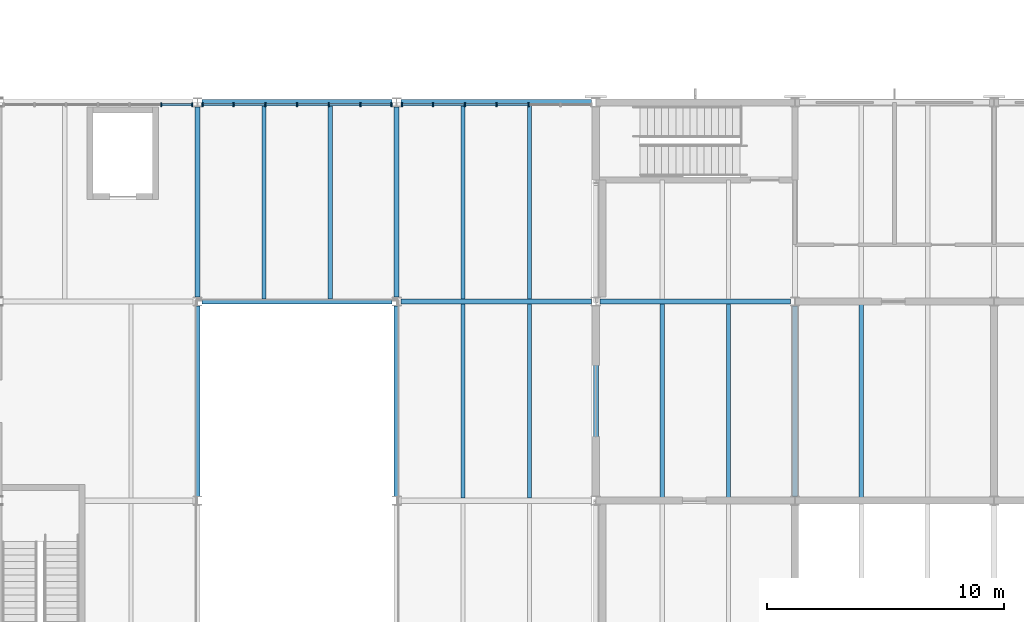
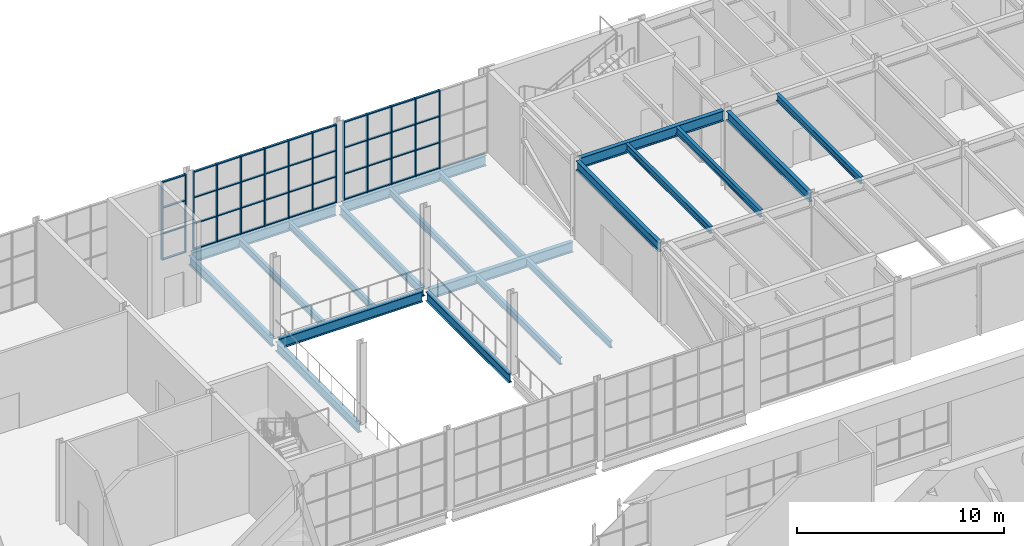
# One storey, part 43 of 127: 58 members, 20 beams, 3 elements without a shape of their own.
"""IFC4 building model written with IfcOpenShell, lengths in metres."""

import ifcopenshell
import ifcopenshell.guid

model = None  # the IFC model being written
_history = None  # IfcOwnerHistory: only IFC2X3 demands one
_inside = {}  # id of a spatial element -> (the spatial element, [elements in it])
_under = {}  # id of a project, library or spatial element -> (it, [spatial elements below it])
_declared = {}  # id of a project -> (the project, [libraries it declares])
_typed = {}  # id of a type object -> (the type object, [elements of that type])
_made_of = {}  # id of a material, layer set ... -> (it, [elements and type objects made of it])


def new_model(schema):
    """Start an empty IFC model of exactly this schema.

    Asked for "IFC4X3", IfcOpenShell would pick the latest addendum, in which some entities
    have other attributes; the version numbers below select the first issue.
    IFC2X3 requires an IfcOwnerHistory on every rooted entity: one is made here for all.
    """
    global model, _history
    if schema == "IFC4X3":
        model = ifcopenshell.file(schema_version=(4, 3, 0, 0))
    else:
        model = ifcopenshell.file(schema=schema)
    _inside.clear()
    _under.clear()
    _declared.clear()
    _typed.clear()
    _made_of.clear()
    _history = None
    if model.schema == "IFC2X3":
        org = make("IfcOrganization", Name="unknown")
        user = make(
            "IfcPersonAndOrganization",
            ThePerson=make("IfcPerson", FamilyName="unknown"),
            TheOrganization=org,
        )
        app = make(
            "IfcApplication",
            ApplicationDeveloper=org,
            Version="unknown",
            ApplicationFullName="unknown",
            ApplicationIdentifier="unknown",
        )
        _history = make(
            "IfcOwnerHistory",
            OwningUser=user,
            OwningApplication=app,
            ChangeAction="ADDED",
            CreationDate=0,
        )
    return model


def make(cls, **values):
    """One entity of the class cls with the attributes given. An attribute that is None is left unset."""
    return model.create_entity(
        cls, **{name: value for name, value in values.items() if value is not None}
    )


def rooted(cls, **values):
    """An entity with a GlobalId (a new one), such as an element, a storey or a relation."""
    return make(cls, GlobalId=ifcopenshell.guid.new(), OwnerHistory=_history, **values)


def si_unit(unit_type, name, prefix=None):
    """IfcSIUnit, for example si_unit("LENGTHUNIT", "METRE", prefix="MILLI")."""
    return make("IfcSIUnit", UnitType=unit_type, Prefix=prefix, Name=name)


def assignment(units):
    """IfcUnitAssignment: the units of a project."""
    return None if units is None else make("IfcUnitAssignment", Units=units)


def point(xyz):
    """IfcCartesianPoint."""
    return None if xyz is None else make("IfcCartesianPoint", Coordinates=xyz)


def direction(xyz):
    """IfcDirection."""
    return None if xyz is None else make("IfcDirection", DirectionRatios=xyz)


def frame(location, z_axis=None, x_axis=None):
    """IfcAxis2Placement3D, a coordinate frame: its origin and axes. An axis left out is left unset."""
    return make(
        "IfcAxis2Placement3D",
        Location=point(location),
        Axis=direction(z_axis),
        RefDirection=direction(x_axis),
    )


def frame_2d(location, x_axis=None):
    """IfcAxis2Placement2D, a coordinate frame in the plane: its origin and x axis."""
    return make(
        "IfcAxis2Placement2D", Location=point(location), RefDirection=direction(x_axis)
    )


def origin():
    """The frame at (0, 0, 0) with its axes left unset."""
    return frame((0.0, 0.0, 0.0))


def origin_2d():
    """The frame at (0, 0) in the plane with its x axis left unset."""
    return frame_2d((0.0, 0.0))


def place(relative_to, where):
    """IfcLocalPlacement: puts the frame where relative to a parent placement (None: the world)."""
    return make(
        "IfcLocalPlacement", PlacementRelTo=relative_to, RelativePlacement=where
    )


def context(
    kind, dimensions, precision=None, world=None, true_north=None, identifier=None
):
    """IfcGeometricRepresentationContext, for example the 3D "Model" context."""
    return make(
        "IfcGeometricRepresentationContext",
        ContextIdentifier=identifier,
        ContextType=kind,
        CoordinateSpaceDimension=dimensions,
        Precision=precision,
        WorldCoordinateSystem=world,
        TrueNorth=true_north,
    )


def subcontext(parent, identifier, kind, view, scale=None):
    """IfcGeometricRepresentationSubContext, for example "Body" below "Model"."""
    return make(
        "IfcGeometricRepresentationSubContext",
        ContextIdentifier=identifier,
        ContextType=kind,
        ParentContext=parent,
        TargetScale=scale,
        TargetView=view,
    )


def project(units=None, contexts=None):
    """IfcProject with its units and contexts."""
    return rooted(
        "IfcProject",
        Name="project",
        RepresentationContexts=contexts,
        UnitsInContext=assignment(units),
    )


def spatial(cls, under=None, at=None, **own):
    """A site, building, storey or space (cls), placed at a placement, below another one or the project."""
    s = rooted(cls, ObjectPlacement=at, **own)
    if under is not None:
        _under.setdefault(under.id(), (under, []))[1].append(s)
    return s


def profile(cls, at=None, kind="AREA", **sizes):
    """A parametric profile (cls). Its sizes go by their IFC names, for example OverallWidth=200.0."""
    return make(cls, ProfileType=kind, Position=at, **sizes)


def rectangle(**sizes):
    """IfcRectangleProfileDef."""
    return profile("IfcRectangleProfileDef", **sizes)


def i_section(**sizes):
    """IfcIShapeProfileDef."""
    return profile("IfcIShapeProfileDef", **sizes)


def extrude(swept, where, along, depth):
    """IfcExtrudedAreaSolid: the profile swept, set in the frame where, extruded along a direction by depth."""
    return make(
        "IfcExtrudedAreaSolid",
        SweptArea=swept,
        Position=where,
        ExtrudedDirection=direction(along),
        Depth=depth,
    )


def shape(context_of_items, identifier, shape_type, items):
    """IfcShapeRepresentation: the items that make up one representation, for example the "Body"."""
    return make(
        "IfcShapeRepresentation",
        ContextOfItems=context_of_items,
        RepresentationIdentifier=identifier,
        RepresentationType=shape_type,
        Items=items,
    )


def material(Name=None, Category=None):
    """IfcMaterial."""
    return make("IfcMaterial", Name=Name, Category=Category)


def material_profile(
    of_material, cross_section, Name=None, Category=None, Priority=None
):
    """IfcMaterialProfile: a cross section and its material."""
    return make(
        "IfcMaterialProfile",
        Name=Name,
        Material=of_material,
        Profile=cross_section,
        Priority=Priority,
        Category=Category,
    )


def profile_set(profiles, Name=None, composite=None):
    """IfcMaterialProfileSet."""
    return make(
        "IfcMaterialProfileSet",
        Name=Name,
        MaterialProfiles=profiles,
        CompositeProfile=composite,
    )


def made_of(thing, what):
    """Note that an element or type object is made of a material, layer set ...; save() writes the relation."""
    if what is not None:
        _made_of.setdefault(what.id(), (what, []))[1].append(thing)
    return thing


def type_object(cls, material=None, **own):
    """A type object (cls), such as IfcWallType, which elements share."""
    return made_of(rooted(cls, **own), material)


def element(
    cls,
    number,
    at=None,
    inside=None,
    cuts=None,
    type_object=None,
    material=None,
    context=None,
    identifier="Body",
    shape_type=None,
    held_by="IfcProductDefinitionShape",
    body=None,
    shapes=None,
    **own,
):
    """One element of the class cls, such as IfcWall. Its Tag is "e" and its number.

    at: its placement. inside: the storey or other place that contains it. cuts: it is an
    opening in that element (IfcRelVoidsElement). A single representation is given by context,
    identifier, shape_type and body (its items); several are given by shapes. held_by: the class
    of the entity that holds the representations. save() writes the other relations.
    """
    e = rooted(cls, Tag="e%d" % number, ObjectPlacement=at, **own)
    if body is not None:
        shapes = [shape(context, identifier, shape_type, body)]
    if shapes is not None:
        e.Representation = make(held_by, Representations=shapes)
    if inside is not None:
        _inside.setdefault(inside.id(), (inside, []))[1].append(e)
    if cuts is not None:
        rooted(
            "IfcRelVoidsElement", RelatingBuildingElement=cuts, RelatedOpeningElement=e
        )
    if type_object is not None:
        _typed.setdefault(type_object.id(), (type_object, []))[1].append(e)
    return made_of(e, material)


def aggregate(whole, parts):
    """IfcRelAggregates: a whole, such as a stair, and the parts it consists of."""
    return rooted("IfcRelAggregates", RelatingObject=whole, RelatedObjects=parts)


def save(model, path):
    """Write the relations noted so far, then the file.

    IfcRelAggregates (storeys below a building ...), IfcRelContainedInSpatialStructure (elements
    in a storey), IfcRelDefinesByType, IfcRelAssociatesMaterial and IfcRelDeclares: one each for
    every whole, place, type object, material and project.
    """
    for whole, parts in _under.values():
        aggregate(whole, parts)
    for where, things in _inside.values():
        rooted(
            "IfcRelContainedInSpatialStructure",
            RelatedElements=things,
            RelatingStructure=where,
        )
    for kind, things in _typed.values():
        rooted("IfcRelDefinesByType", RelatedObjects=things, RelatingType=kind)
    for what, things in _made_of.values():
        rooted("IfcRelAssociatesMaterial", RelatedObjects=things, RelatingMaterial=what)
    for by, libraries in _declared.values():
        rooted("IfcRelDeclares", RelatingContext=by, RelatedDefinitions=libraries)
    model.write(path)


model = new_model("IFC4")

# Units and contexts
model_context = context("Model", 3, precision=1e-05, world=origin(), true_north=direction((0.0, 1.0)))
body_context = subcontext(model_context, "Body", "Model", "MODEL_VIEW")
ifc_project = project(units=[si_unit("LENGTHUNIT", "METRE"), si_unit("AREAUNIT", "SQUARE_METRE"), si_unit("VOLUMEUNIT", "CUBIC_METRE"), si_unit("PLANEANGLEUNIT", "RADIAN"), si_unit("MASSUNIT", "GRAM", prefix="KILO")], contexts=[model_context])

# Site, building, storey
site_placement = place(None, origin())
site = spatial("IfcSite", under=ifc_project, at=site_placement, CompositionType="ELEMENT")
building_placement = place(site_placement, origin())
building = spatial("IfcBuilding", under=site, at=building_placement, Name="Ljudholm Concert House", CompositionType="ELEMENT")
storey_placement = place(building_placement, frame((0.0, 0.0, 5.39990234375)))
storey = spatial("IfcBuildingStorey", under=building, at=storey_placement, Name="L01", CompositionType="ELEMENT", Elevation=5.39990234375)

# Curtain wall, members
ifc_material_1 = material(Name="Aluminium curtain wall with impact-rated laminated glass", Category="aluminium")
curtain_wall_type = type_object("IfcCurtainWallType", Name="CURTAIN WALL 1400", PredefinedType="NOTDEFINED", material=ifc_material_1)
curtain_wall_1_placement = place(storey_placement, origin())
curtain_wall_1 = element("IfcCurtainWall", 1, at=curtain_wall_1_placement, inside=storey, type_object=curtain_wall_type, Name="North curtain wall", PredefinedType="NOTDEFINED")
ifc_material_2 = material(Name="Aluminium extrusion", Category="aluminium")
ifc_material_profile_1 = material_profile(ifc_material_2, rectangle(XDim=0.159912109375, YDim=0.06005859375, at=origin_2d()), Name="MULLION 60x160")
ifc_profile_set_1 = profile_set([ifc_material_profile_1], Name="Aluminium extrusion")
member_type_1 = type_object("IfcMemberType", Name="MULLION 60x160", PredefinedType="MULLION", material=ifc_profile_set_1)
member_1_placement = place(storey_placement, frame((36.0732421875, 129.89990234375, 0.0), z_axis=(0.0, 0.0, 1.0), x_axis=(0.0, 1.0, 0.0)))
member_1 = element("IfcMember", 2, at=member_1_placement, type_object=member_type_1, Name="Mullion", PredefinedType="MULLION", context=body_context, shape_type="SweptSolid", body=[
    extrude(rectangle(XDim=0.159912109375, YDim=0.06005859375, at=origin_2d()), origin(), (0.0, 0.0, 1.0), 4.6201171875),
])
member_2_placement = place(storey_placement, frame((37.3798828125, 129.89990234375, 0.0), z_axis=(0.0, 0.0, 1.0), x_axis=(0.0, 1.0, 0.0)))
member_2 = element("IfcMember", 3, at=member_2_placement, type_object=member_type_1, Name="Mullion", PredefinedType="MULLION", context=body_context, shape_type="SweptSolid", body=[
    extrude(rectangle(XDim=0.159912109375, YDim=0.06005859375, at=origin_2d()), origin(), (0.0, 0.0, 1.0), 4.6201171875),
])

curtain_wall_2_placement = place(storey_placement, origin())
curtain_wall_2 = element("IfcCurtainWall", 4, at=curtain_wall_2_placement, inside=storey, type_object=curtain_wall_type, Name="North curtain wall", PredefinedType="NOTDEFINED")
member_3_placement = place(storey_placement, frame((37.820068359375, 129.89990234375, 0.0), z_axis=(0.0, 0.0, 1.0), x_axis=(0.0, 1.0, 0.0)))
member_3 = element("IfcMember", 5, at=member_3_placement, type_object=member_type_1, Name="Mullion", PredefinedType="MULLION", context=body_context, shape_type="SweptSolid", body=[
    extrude(rectangle(XDim=0.159912109375, YDim=0.06005859375, at=origin_2d()), origin(), (0.0, 0.0, 1.0), 4.6201171875),
])
member_4_placement = place(storey_placement, frame((39.126708984375, 129.89990234375, 0.0), z_axis=(0.0, 0.0, 1.0), x_axis=(0.0, 1.0, 0.0)))
member_4 = element("IfcMember", 6, at=member_4_placement, type_object=member_type_1, Name="Mullion", PredefinedType="MULLION", context=body_context, shape_type="SweptSolid", body=[
    extrude(rectangle(XDim=0.159912109375, YDim=0.06005859375, at=origin_2d()), origin(), (0.0, 0.0, 1.0), 4.6201171875),
])
member_5_placement = place(storey_placement, frame((40.46337890625, 129.89990234375, 0.0), z_axis=(0.0, 0.0, 1.0), x_axis=(0.0, 1.0, 0.0)))
member_5 = element("IfcMember", 7, at=member_5_placement, type_object=member_type_1, Name="Mullion", PredefinedType="MULLION", context=body_context, shape_type="SweptSolid", body=[
    extrude(rectangle(XDim=0.159912109375, YDim=0.06005859375, at=origin_2d()), origin(), (0.0, 0.0, 1.0), 4.6201171875),
])
member_6_placement = place(storey_placement, frame((41.800048828125, 129.89990234375, 0.0), z_axis=(0.0, 0.0, 1.0), x_axis=(0.0, 1.0, 0.0)))
member_6 = element("IfcMember", 8, at=member_6_placement, type_object=member_type_1, Name="Mullion", PredefinedType="MULLION", context=body_context, shape_type="SweptSolid", body=[
    extrude(rectangle(XDim=0.159912109375, YDim=0.06005859375, at=origin_2d()), origin(), (0.0, 0.0, 1.0), 4.6201171875),
])
member_7_placement = place(storey_placement, frame((43.13671875, 129.89990234375, 0.0), z_axis=(0.0, 0.0, 1.0), x_axis=(0.0, 1.0, 0.0)))
member_7 = element("IfcMember", 9, at=member_7_placement, type_object=member_type_1, Name="Mullion", PredefinedType="MULLION", context=body_context, shape_type="SweptSolid", body=[
    extrude(rectangle(XDim=0.159912109375, YDim=0.06005859375, at=origin_2d()), origin(), (0.0, 0.0, 1.0), 4.6201171875),
])
member_8_placement = place(storey_placement, frame((44.473388671875, 129.89990234375, 0.0), z_axis=(0.0, 0.0, 1.0), x_axis=(0.0, 1.0, 0.0)))
member_8 = element("IfcMember", 10, at=member_8_placement, type_object=member_type_1, Name="Mullion", PredefinedType="MULLION", context=body_context, shape_type="SweptSolid", body=[
    extrude(rectangle(XDim=0.159912109375, YDim=0.06005859375, at=origin_2d()), origin(), (0.0, 0.0, 1.0), 4.6201171875),
])
member_9_placement = place(storey_placement, frame((45.780029296875, 129.89990234375, 0.0), z_axis=(0.0, 0.0, 1.0), x_axis=(0.0, 1.0, 0.0)))
member_9 = element("IfcMember", 11, at=member_9_placement, type_object=member_type_1, Name="Mullion", PredefinedType="MULLION", context=body_context, shape_type="SweptSolid", body=[
    extrude(rectangle(XDim=0.159912109375, YDim=0.06005859375, at=origin_2d()), origin(), (0.0, 0.0, 1.0), 4.6201171875),
])

curtain_wall_3_placement = place(storey_placement, origin())
curtain_wall_3 = element("IfcCurtainWall", 12, at=curtain_wall_3_placement, inside=storey, type_object=curtain_wall_type, Name="North curtain wall", PredefinedType="NOTDEFINED")
member_10_placement = place(storey_placement, frame((46.219970703125, 129.89990234375, 0.0), z_axis=(0.0, 0.0, 1.0), x_axis=(0.0, 1.0, 0.0)))
member_10 = element("IfcMember", 13, at=member_10_placement, type_object=member_type_1, Name="Mullion", PredefinedType="MULLION", context=body_context, shape_type="SweptSolid", body=[
    extrude(rectangle(XDim=0.159912109375, YDim=0.06005859375, at=origin_2d()), origin(), (0.0, 0.0, 1.0), 4.6201171875),
])
member_11_placement = place(storey_placement, frame((47.533447265625, 129.89990234375, 0.0), z_axis=(0.0, 0.0, 1.0), x_axis=(0.0, 1.0, 0.0)))
member_11 = element("IfcMember", 14, at=member_11_placement, type_object=member_type_1, Name="Mullion", PredefinedType="MULLION", context=body_context, shape_type="SweptSolid", body=[
    extrude(rectangle(XDim=0.159912109375, YDim=0.06005859375, at=origin_2d()), origin(), (0.0, 0.0, 1.0), 4.6201171875),
])
member_12_placement = place(storey_placement, frame((48.876708984375, 129.89990234375, 0.0), z_axis=(0.0, 0.0, 1.0), x_axis=(0.0, 1.0, 0.0)))
member_12 = element("IfcMember", 15, at=member_12_placement, type_object=member_type_1, Name="Mullion", PredefinedType="MULLION", context=body_context, shape_type="SweptSolid", body=[
    extrude(rectangle(XDim=0.159912109375, YDim=0.06005859375, at=origin_2d()), origin(), (0.0, 0.0, 1.0), 4.6201171875),
])
member_13_placement = place(storey_placement, frame((50.219970703125, 129.89990234375, 0.0), z_axis=(0.0, 0.0, 1.0), x_axis=(0.0, 1.0, 0.0)))
member_13 = element("IfcMember", 16, at=member_13_placement, type_object=member_type_1, Name="Mullion", PredefinedType="MULLION", context=body_context, shape_type="SweptSolid", body=[
    extrude(rectangle(XDim=0.159912109375, YDim=0.06005859375, at=origin_2d()), origin(), (0.0, 0.0, 1.0), 4.6201171875),
])
member_14_placement = place(storey_placement, frame((51.563232421875, 129.89990234375, 0.0), z_axis=(0.0, 0.0, 1.0), x_axis=(0.0, 1.0, 0.0)))
member_14 = element("IfcMember", 17, at=member_14_placement, type_object=member_type_1, Name="Mullion", PredefinedType="MULLION", context=body_context, shape_type="SweptSolid", body=[
    extrude(rectangle(XDim=0.159912109375, YDim=0.06005859375, at=origin_2d()), origin(), (0.0, 0.0, 1.0), 4.6201171875),
])

# Beams
ifc_material_3 = material(Name="Steel ASTM A992", Category="steel")
ifc_material_profile_2 = material_profile(ifc_material_3, i_section(OverallWidth=0.177734375, OverallDepth=0.406494140625, WebThickness=0.0078125, FlangeThickness=0.012939453125, FilletRadius=0.01025390625, at=origin_2d()), Name="W16X40")
ifc_profile_set_2 = profile_set([ifc_material_profile_2], Name="Steel ASTM A992")
beam_type_1 = type_object("IfcBeamType", Name="STEEL BEAM W16X40", PredefinedType="BEAM", material=ifc_profile_set_2)
for number, where, z_axis, x_axis, name in (
    (18, (57.199951171875, 113.314453125, 4.4169921875), (0.0, 1.0, 0.0), (-1.0, 0.0, 0.0), "Beam STUDIO-L02-sb-57.2-113.2"),
    (19, (60.0, 113.314453125, 4.4169921875), (0.0, 1.0, 0.0), (-1.0, 0.0, 0.0), "Beam STUDIO-L02-sb-60-113.2"),
    (20, (65.60009765625, 113.314453125, 4.4169921875), (0.0, 1.0, 0.0), (-1.0, 0.0, 0.0), "Beam STUDIO-L02-sb-65.6-113.2"),
    (21, (48.800048828125, 113.314453125, -0.383056640625), (0.0, 1.0, 0.0), (-1.0, 0.0, 0.0), "Secondary beam"),
    (22, (48.800048828125, 121.714599609375, -0.383056640625), (0.0, 1.0, 0.0), (-1.0, 0.0, 0.0), "Secondary beam"),
    (23, (51.60009765625, 113.314453125, -0.383056640625), (0.0, 1.0, 0.0), (-1.0, 0.0, 0.0), "Secondary beam"),
    (24, (51.60009765625, 121.714599609375, -0.383056640625), (0.0, 1.0, 0.0), (-1.0, 0.0, 0.0), "Secondary beam"),
    (25, (40.39990234375, 121.714599609375, -0.383056640625), (0.0, 1.0, 0.0), (-1.0, 0.0, 0.0), "Secondary beam"),
    (26, (43.199951171875, 121.714599609375, -0.383056640625), (0.0, 1.0, 0.0), (-1.0, 0.0, 0.0), "Secondary beam"),
):
    element("IfcBeam", number, at=place(storey_placement, frame(where, z_axis=z_axis, x_axis=x_axis)), inside=storey, type_object=beam_type_1, Name=name, PredefinedType="BEAM", context=body_context, shape_type="SweptSolid", body=[
        extrude(i_section(OverallWidth=0.177734375, OverallDepth=0.406494140625, WebThickness=0.0078125, FlangeThickness=0.012939453125, FilletRadius=0.01025390625, at=origin_2d()), origin(), (0.0, 0.0, 1.0), 8.1708984375),
    ])
ifc_material_4 = material(Name="Steel ASTM A992", Category="steel")
ifc_material_profile_3 = material_profile(ifc_material_4, i_section(OverallWidth=0.209228515625, OverallDepth=0.533447265625, WebThickness=0.01025390625, FlangeThickness=0.015625, FilletRadius=0.012939453125, at=origin_2d()), Name="W21X62")
ifc_profile_set_3 = profile_set([ifc_material_profile_3], Name="Steel ASTM A992")
beam_type_2 = type_object("IfcBeamType", Name="STEEL BEAM W21X62", PredefinedType="BEAM", material=ifc_profile_set_3)
for number, where, z_axis, x_axis, name in (
    (27, (54.39990234375, 113.38671875, 4.353515625), (0.0, 1.0, 0.0), (-1.0, 0.0, 0.0), "Beam STUDIO-L02-gy-54.4-113.2"),
    (28, (62.800048828125, 113.38671875, 4.353515625), (0.0, 1.0, 0.0), (-1.0, 0.0, 0.0), "Beam STUDIO-L02-gy-62.8-113.2"),
    (29, (37.60009765625, 113.38671875, -0.446533203125), (0.0, 1.0, 0.0), (-1.0, 0.0, 0.0), "Floor edge beam"),
    (30, (37.60009765625, 121.78662109375, -0.446533203125), (0.0, 1.0, 0.0), (-1.0, 0.0, 0.0), "Floor edge beam"),
    (31, (46.0, 113.38671875, -0.446533203125), (0.0, 1.0, 0.0), (-1.0, 0.0, 0.0), "Floor edge beam"),
    (32, (46.0, 121.78662109375, -0.446533203125), (0.0, 1.0, 0.0), (-1.0, 0.0, 0.0), "Floor edge beam"),
):
    element("IfcBeam", number, at=place(storey_placement, frame(where, z_axis=z_axis, x_axis=x_axis)), inside=storey, type_object=beam_type_2, Name=name, PredefinedType="BEAM", context=body_context, shape_type="SweptSolid", body=[
        extrude(i_section(OverallWidth=0.209228515625, OverallDepth=0.533447265625, WebThickness=0.01025390625, FlangeThickness=0.015625, FilletRadius=0.012939453125, at=origin_2d()), origin(), (0.0, 0.0, 1.0), 8.026611328125),
    ])
ifc_material_5 = material(Name="Steel ASTM A992", Category="steel")
ifc_material_profile_4 = material_profile(ifc_material_5, i_section(OverallWidth=0.22900390625, OverallDepth=0.612060546875, WebThickness=0.011962890625, FlangeThickness=0.01953125, FilletRadius=0.0126953125, at=origin_2d()), Name="W24X84")
ifc_profile_set_4 = profile_set([ifc_material_profile_4], Name="Steel ASTM A992")
beam_type_3 = type_object("IfcBeamType", Name="STEEL BEAM W24X84", PredefinedType="BEAM", material=ifc_profile_set_4)
for number, where, z_axis, x_axis, name in (
    (33, (54.586669921875, 121.60009765625, 4.31396484375), (1.0, 0.0, 0.0), (0.0, 1.0, 0.0), "Beam STUDIO-L02-gx-54.4-121.6"),
    (34, (37.78662109375, 121.60009765625, -0.486083984375), (1.0, 0.0, 0.0), (0.0, 1.0, 0.0), "Floor girder"),
    (35, (46.186767578125, 121.60009765625, -0.486083984375), (1.0, 0.0, 0.0), (0.0, 1.0, 0.0), "Floor girder"),
    (36, (37.78662109375, 130.0, -0.486083984375), (1.0, 0.0, 0.0), (0.0, 1.0, 0.0), "Floor girder"),
    (37, (46.186767578125, 130.0, -0.486083984375), (1.0, 0.0, 0.0), (0.0, 1.0, 0.0), "Floor girder"),
):
    element("IfcBeam", number, at=place(storey_placement, frame(where, z_axis=z_axis, x_axis=x_axis)), inside=storey, type_object=beam_type_3, Name=name, PredefinedType="BEAM", context=body_context, shape_type="SweptSolid", body=[
        extrude(i_section(OverallWidth=0.22900390625, OverallDepth=0.612060546875, WebThickness=0.011962890625, FlangeThickness=0.01953125, FilletRadius=0.0126953125, at=origin_2d()), origin(), (0.0, 0.0, 1.0), 8.026611328125),
    ])

# Member
ifc_material_6 = material(Name="Aluminium extrusion", Category="aluminium")
ifc_material_profile_5 = material_profile(ifc_material_6, rectangle(XDim=0.1201171875, YDim=0.06005859375, at=origin_2d()), Name="TRANSOM 60x120")
ifc_profile_set_5 = profile_set([ifc_material_profile_5], Name="Aluminium extrusion")
member_type_2 = type_object("IfcMemberType", Name="TRANSOM 60x120", PredefinedType="USERDEFINED", material=ifc_profile_set_5)
member_15_placement = place(storey_placement, frame((36.103271484375, 129.89990234375, 0.030029296875), z_axis=(1.0, 0.0, 0.0), x_axis=(0.0, 1.0, 0.0)))
member_15 = element("IfcMember", 38, at=member_15_placement, type_object=member_type_2, Name="Transom", ObjectType="TRANSOM", PredefinedType="USERDEFINED", context=body_context, shape_type="SweptSolid", body=[
    extrude(rectangle(XDim=0.1201171875, YDim=0.06005859375, at=origin_2d()), origin(), (0.0, 0.0, 1.0), 1.246826171875),
])

member_16_placement = place(storey_placement, frame((36.103271484375, 129.89990234375, 1.5400390625), z_axis=(1.0, 0.0, 0.0), x_axis=(0.0, 1.0, 0.0)))
member_16 = element("IfcMember", 39, at=member_16_placement, type_object=member_type_2, Name="Transom", ObjectType="TRANSOM", PredefinedType="USERDEFINED", context=body_context, shape_type="SweptSolid", body=[
    extrude(rectangle(XDim=0.1201171875, YDim=0.06005859375, at=origin_2d()), origin(), (0.0, 0.0, 1.0), 1.246826171875),
])

member_17_placement = place(storey_placement, frame((36.103271484375, 129.89990234375, 3.080078125), z_axis=(1.0, 0.0, 0.0), x_axis=(0.0, 1.0, 0.0)))
member_17 = element("IfcMember", 40, at=member_17_placement, type_object=member_type_2, Name="Transom", ObjectType="TRANSOM", PredefinedType="USERDEFINED", context=body_context, shape_type="SweptSolid", body=[
    extrude(rectangle(XDim=0.1201171875, YDim=0.06005859375, at=origin_2d()), origin(), (0.0, 0.0, 1.0), 1.246826171875),
])

member_18_placement = place(storey_placement, frame((36.103271484375, 129.89990234375, 4.590087890625), z_axis=(1.0, 0.0, 0.0), x_axis=(0.0, 1.0, 0.0)))
member_18 = element("IfcMember", 41, at=member_18_placement, type_object=member_type_2, Name="Transom", ObjectType="TRANSOM", PredefinedType="USERDEFINED", context=body_context, shape_type="SweptSolid", body=[
    extrude(rectangle(XDim=0.1201171875, YDim=0.06005859375, at=origin_2d()), origin(), (0.0, 0.0, 1.0), 1.246826171875),
])

aggregate(curtain_wall_1, [member_1, member_2, member_15, member_16, member_17, member_18])

member_19_placement = place(storey_placement, frame((37.85009765625, 129.89990234375, 0.030029296875), z_axis=(1.0, 0.0, 0.0), x_axis=(0.0, 1.0, 0.0)))
member_19 = element("IfcMember", 42, at=member_19_placement, type_object=member_type_2, Name="Transom", ObjectType="TRANSOM", PredefinedType="USERDEFINED", context=body_context, shape_type="SweptSolid", body=[
    extrude(rectangle(XDim=0.1201171875, YDim=0.06005859375, at=origin_2d()), origin(), (0.0, 0.0, 1.0), 1.24658203125),
])

member_20_placement = place(storey_placement, frame((37.85009765625, 129.89990234375, 1.5400390625), z_axis=(1.0, 0.0, 0.0), x_axis=(0.0, 1.0, 0.0)))
member_20 = element("IfcMember", 43, at=member_20_placement, type_object=member_type_2, Name="Transom", ObjectType="TRANSOM", PredefinedType="USERDEFINED", context=body_context, shape_type="SweptSolid", body=[
    extrude(rectangle(XDim=0.1201171875, YDim=0.06005859375, at=origin_2d()), origin(), (0.0, 0.0, 1.0), 1.24658203125),
])

member_21_placement = place(storey_placement, frame((37.85009765625, 129.89990234375, 3.080078125), z_axis=(1.0, 0.0, 0.0), x_axis=(0.0, 1.0, 0.0)))
member_21 = element("IfcMember", 44, at=member_21_placement, type_object=member_type_2, Name="Transom", ObjectType="TRANSOM", PredefinedType="USERDEFINED", context=body_context, shape_type="SweptSolid", body=[
    extrude(rectangle(XDim=0.1201171875, YDim=0.06005859375, at=origin_2d()), origin(), (0.0, 0.0, 1.0), 1.24658203125),
])

member_22_placement = place(storey_placement, frame((37.85009765625, 129.89990234375, 4.590087890625), z_axis=(1.0, 0.0, 0.0), x_axis=(0.0, 1.0, 0.0)))
member_22 = element("IfcMember", 45, at=member_22_placement, type_object=member_type_2, Name="Transom", ObjectType="TRANSOM", PredefinedType="USERDEFINED", context=body_context, shape_type="SweptSolid", body=[
    extrude(rectangle(XDim=0.1201171875, YDim=0.06005859375, at=origin_2d()), origin(), (0.0, 0.0, 1.0), 1.24658203125),
])

member_23_placement = place(storey_placement, frame((39.15673828125, 129.89990234375, 0.030029296875), z_axis=(1.0, 0.0, 0.0), x_axis=(0.0, 1.0, 0.0)))
member_23 = element("IfcMember", 46, at=member_23_placement, type_object=member_type_2, Name="Transom", ObjectType="TRANSOM", PredefinedType="USERDEFINED", context=body_context, shape_type="SweptSolid", body=[
    extrude(rectangle(XDim=0.1201171875, YDim=0.06005859375, at=origin_2d()), origin(), (0.0, 0.0, 1.0), 1.276611328125),
])

member_24_placement = place(storey_placement, frame((39.15673828125, 129.89990234375, 1.5400390625), z_axis=(1.0, 0.0, 0.0), x_axis=(0.0, 1.0, 0.0)))
member_24 = element("IfcMember", 47, at=member_24_placement, type_object=member_type_2, Name="Transom", ObjectType="TRANSOM", PredefinedType="USERDEFINED", context=body_context, shape_type="SweptSolid", body=[
    extrude(rectangle(XDim=0.1201171875, YDim=0.06005859375, at=origin_2d()), origin(), (0.0, 0.0, 1.0), 1.276611328125),
])

member_25_placement = place(storey_placement, frame((39.15673828125, 129.89990234375, 3.080078125), z_axis=(1.0, 0.0, 0.0), x_axis=(0.0, 1.0, 0.0)))
member_25 = element("IfcMember", 48, at=member_25_placement, type_object=member_type_2, Name="Transom", ObjectType="TRANSOM", PredefinedType="USERDEFINED", context=body_context, shape_type="SweptSolid", body=[
    extrude(rectangle(XDim=0.1201171875, YDim=0.06005859375, at=origin_2d()), origin(), (0.0, 0.0, 1.0), 1.276611328125),
])

member_26_placement = place(storey_placement, frame((39.15673828125, 129.89990234375, 4.590087890625), z_axis=(1.0, 0.0, 0.0), x_axis=(0.0, 1.0, 0.0)))
member_26 = element("IfcMember", 49, at=member_26_placement, type_object=member_type_2, Name="Transom", ObjectType="TRANSOM", PredefinedType="USERDEFINED", context=body_context, shape_type="SweptSolid", body=[
    extrude(rectangle(XDim=0.1201171875, YDim=0.06005859375, at=origin_2d()), origin(), (0.0, 0.0, 1.0), 1.276611328125),
])

member_27_placement = place(storey_placement, frame((40.493408203125, 129.89990234375, 0.030029296875), z_axis=(1.0, 0.0, 0.0), x_axis=(0.0, 1.0, 0.0)))
member_27 = element("IfcMember", 50, at=member_27_placement, type_object=member_type_2, Name="Transom", ObjectType="TRANSOM", PredefinedType="USERDEFINED", context=body_context, shape_type="SweptSolid", body=[
    extrude(rectangle(XDim=0.1201171875, YDim=0.06005859375, at=origin_2d()), origin(), (0.0, 0.0, 1.0), 1.276611328125),
])

member_28_placement = place(storey_placement, frame((40.493408203125, 129.89990234375, 1.5400390625), z_axis=(1.0, 0.0, 0.0), x_axis=(0.0, 1.0, 0.0)))
member_28 = element("IfcMember", 51, at=member_28_placement, type_object=member_type_2, Name="Transom", ObjectType="TRANSOM", PredefinedType="USERDEFINED", context=body_context, shape_type="SweptSolid", body=[
    extrude(rectangle(XDim=0.1201171875, YDim=0.06005859375, at=origin_2d()), origin(), (0.0, 0.0, 1.0), 1.276611328125),
])

member_29_placement = place(storey_placement, frame((40.493408203125, 129.89990234375, 3.080078125), z_axis=(1.0, 0.0, 0.0), x_axis=(0.0, 1.0, 0.0)))
member_29 = element("IfcMember", 52, at=member_29_placement, type_object=member_type_2, Name="Transom", ObjectType="TRANSOM", PredefinedType="USERDEFINED", context=body_context, shape_type="SweptSolid", body=[
    extrude(rectangle(XDim=0.1201171875, YDim=0.06005859375, at=origin_2d()), origin(), (0.0, 0.0, 1.0), 1.276611328125),
])

member_30_placement = place(storey_placement, frame((40.493408203125, 129.89990234375, 4.590087890625), z_axis=(1.0, 0.0, 0.0), x_axis=(0.0, 1.0, 0.0)))
member_30 = element("IfcMember", 53, at=member_30_placement, type_object=member_type_2, Name="Transom", ObjectType="TRANSOM", PredefinedType="USERDEFINED", context=body_context, shape_type="SweptSolid", body=[
    extrude(rectangle(XDim=0.1201171875, YDim=0.06005859375, at=origin_2d()), origin(), (0.0, 0.0, 1.0), 1.276611328125),
])

member_31_placement = place(storey_placement, frame((41.830078125, 129.89990234375, 0.030029296875), z_axis=(1.0, 0.0, 0.0), x_axis=(0.0, 1.0, 0.0)))
member_31 = element("IfcMember", 54, at=member_31_placement, type_object=member_type_2, Name="Transom", ObjectType="TRANSOM", PredefinedType="USERDEFINED", context=body_context, shape_type="SweptSolid", body=[
    extrude(rectangle(XDim=0.1201171875, YDim=0.06005859375, at=origin_2d()), origin(), (0.0, 0.0, 1.0), 1.276611328125),
])

member_32_placement = place(storey_placement, frame((41.830078125, 129.89990234375, 1.5400390625), z_axis=(1.0, 0.0, 0.0), x_axis=(0.0, 1.0, 0.0)))
member_32 = element("IfcMember", 55, at=member_32_placement, type_object=member_type_2, Name="Transom", ObjectType="TRANSOM", PredefinedType="USERDEFINED", context=body_context, shape_type="SweptSolid", body=[
    extrude(rectangle(XDim=0.1201171875, YDim=0.06005859375, at=origin_2d()), origin(), (0.0, 0.0, 1.0), 1.276611328125),
])

member_33_placement = place(storey_placement, frame((41.830078125, 129.89990234375, 3.080078125), z_axis=(1.0, 0.0, 0.0), x_axis=(0.0, 1.0, 0.0)))
member_33 = element("IfcMember", 56, at=member_33_placement, type_object=member_type_2, Name="Transom", ObjectType="TRANSOM", PredefinedType="USERDEFINED", context=body_context, shape_type="SweptSolid", body=[
    extrude(rectangle(XDim=0.1201171875, YDim=0.06005859375, at=origin_2d()), origin(), (0.0, 0.0, 1.0), 1.276611328125),
])

member_34_placement = place(storey_placement, frame((41.830078125, 129.89990234375, 4.590087890625), z_axis=(1.0, 0.0, 0.0), x_axis=(0.0, 1.0, 0.0)))
member_34 = element("IfcMember", 57, at=member_34_placement, type_object=member_type_2, Name="Transom", ObjectType="TRANSOM", PredefinedType="USERDEFINED", context=body_context, shape_type="SweptSolid", body=[
    extrude(rectangle(XDim=0.1201171875, YDim=0.06005859375, at=origin_2d()), origin(), (0.0, 0.0, 1.0), 1.276611328125),
])

member_35_placement = place(storey_placement, frame((43.166748046875, 129.89990234375, 0.030029296875), z_axis=(1.0, 0.0, 0.0), x_axis=(0.0, 1.0, 0.0)))
member_35 = element("IfcMember", 58, at=member_35_placement, type_object=member_type_2, Name="Transom", ObjectType="TRANSOM", PredefinedType="USERDEFINED", context=body_context, shape_type="SweptSolid", body=[
    extrude(rectangle(XDim=0.1201171875, YDim=0.06005859375, at=origin_2d()), origin(), (0.0, 0.0, 1.0), 1.276611328125),
])

member_36_placement = place(storey_placement, frame((43.166748046875, 129.89990234375, 1.5400390625), z_axis=(1.0, 0.0, 0.0), x_axis=(0.0, 1.0, 0.0)))
member_36 = element("IfcMember", 59, at=member_36_placement, type_object=member_type_2, Name="Transom", ObjectType="TRANSOM", PredefinedType="USERDEFINED", context=body_context, shape_type="SweptSolid", body=[
    extrude(rectangle(XDim=0.1201171875, YDim=0.06005859375, at=origin_2d()), origin(), (0.0, 0.0, 1.0), 1.276611328125),
])

member_37_placement = place(storey_placement, frame((43.166748046875, 129.89990234375, 3.080078125), z_axis=(1.0, 0.0, 0.0), x_axis=(0.0, 1.0, 0.0)))
member_37 = element("IfcMember", 60, at=member_37_placement, type_object=member_type_2, Name="Transom", ObjectType="TRANSOM", PredefinedType="USERDEFINED", context=body_context, shape_type="SweptSolid", body=[
    extrude(rectangle(XDim=0.1201171875, YDim=0.06005859375, at=origin_2d()), origin(), (0.0, 0.0, 1.0), 1.276611328125),
])

member_38_placement = place(storey_placement, frame((43.166748046875, 129.89990234375, 4.590087890625), z_axis=(1.0, 0.0, 0.0), x_axis=(0.0, 1.0, 0.0)))
member_38 = element("IfcMember", 61, at=member_38_placement, type_object=member_type_2, Name="Transom", ObjectType="TRANSOM", PredefinedType="USERDEFINED", context=body_context, shape_type="SweptSolid", body=[
    extrude(rectangle(XDim=0.1201171875, YDim=0.06005859375, at=origin_2d()), origin(), (0.0, 0.0, 1.0), 1.276611328125),
])

member_39_placement = place(storey_placement, frame((44.50341796875, 129.89990234375, 0.030029296875), z_axis=(1.0, 0.0, 0.0), x_axis=(0.0, 1.0, 0.0)))
member_39 = element("IfcMember", 62, at=member_39_placement, type_object=member_type_2, Name="Transom", ObjectType="TRANSOM", PredefinedType="USERDEFINED", context=body_context, shape_type="SweptSolid", body=[
    extrude(rectangle(XDim=0.1201171875, YDim=0.06005859375, at=origin_2d()), origin(), (0.0, 0.0, 1.0), 1.24658203125),
])

member_40_placement = place(storey_placement, frame((44.50341796875, 129.89990234375, 1.5400390625), z_axis=(1.0, 0.0, 0.0), x_axis=(0.0, 1.0, 0.0)))
member_40 = element("IfcMember", 63, at=member_40_placement, type_object=member_type_2, Name="Transom", ObjectType="TRANSOM", PredefinedType="USERDEFINED", context=body_context, shape_type="SweptSolid", body=[
    extrude(rectangle(XDim=0.1201171875, YDim=0.06005859375, at=origin_2d()), origin(), (0.0, 0.0, 1.0), 1.24658203125),
])

member_41_placement = place(storey_placement, frame((44.50341796875, 129.89990234375, 3.080078125), z_axis=(1.0, 0.0, 0.0), x_axis=(0.0, 1.0, 0.0)))
member_41 = element("IfcMember", 64, at=member_41_placement, type_object=member_type_2, Name="Transom", ObjectType="TRANSOM", PredefinedType="USERDEFINED", context=body_context, shape_type="SweptSolid", body=[
    extrude(rectangle(XDim=0.1201171875, YDim=0.06005859375, at=origin_2d()), origin(), (0.0, 0.0, 1.0), 1.24658203125),
])

member_42_placement = place(storey_placement, frame((44.50341796875, 129.89990234375, 4.590087890625), z_axis=(1.0, 0.0, 0.0), x_axis=(0.0, 1.0, 0.0)))
member_42 = element("IfcMember", 65, at=member_42_placement, type_object=member_type_2, Name="Transom", ObjectType="TRANSOM", PredefinedType="USERDEFINED", context=body_context, shape_type="SweptSolid", body=[
    extrude(rectangle(XDim=0.1201171875, YDim=0.06005859375, at=origin_2d()), origin(), (0.0, 0.0, 1.0), 1.24658203125),
])

aggregate(curtain_wall_2, [member_3, member_4, member_5, member_6, member_7, member_8, member_9, member_19, member_20, member_21, member_22, member_23, member_24, member_25, member_26, member_27, member_28, member_29, member_30, member_31, member_32, member_33, member_34, member_35, member_36, member_37, member_38, member_39, member_40, member_41, member_42])

member_43_placement = place(storey_placement, frame((46.25, 129.89990234375, 0.030029296875), z_axis=(1.0, 0.0, 0.0), x_axis=(0.0, 1.0, 0.0)))
member_43 = element("IfcMember", 66, at=member_43_placement, type_object=member_type_2, Name="Transom", ObjectType="TRANSOM", PredefinedType="USERDEFINED", context=body_context, shape_type="SweptSolid", body=[
    extrude(rectangle(XDim=0.1201171875, YDim=0.06005859375, at=origin_2d()), origin(), (0.0, 0.0, 1.0), 1.25341796875),
])

member_44_placement = place(storey_placement, frame((46.25, 129.89990234375, 1.5400390625), z_axis=(1.0, 0.0, 0.0), x_axis=(0.0, 1.0, 0.0)))
member_44 = element("IfcMember", 67, at=member_44_placement, type_object=member_type_2, Name="Transom", ObjectType="TRANSOM", PredefinedType="USERDEFINED", context=body_context, shape_type="SweptSolid", body=[
    extrude(rectangle(XDim=0.1201171875, YDim=0.06005859375, at=origin_2d()), origin(), (0.0, 0.0, 1.0), 1.25341796875),
])

member_45_placement = place(storey_placement, frame((46.25, 129.89990234375, 3.080078125), z_axis=(1.0, 0.0, 0.0), x_axis=(0.0, 1.0, 0.0)))
member_45 = element("IfcMember", 68, at=member_45_placement, type_object=member_type_2, Name="Transom", ObjectType="TRANSOM", PredefinedType="USERDEFINED", context=body_context, shape_type="SweptSolid", body=[
    extrude(rectangle(XDim=0.1201171875, YDim=0.06005859375, at=origin_2d()), origin(), (0.0, 0.0, 1.0), 1.25341796875),
])

member_46_placement = place(storey_placement, frame((46.25, 129.89990234375, 4.590087890625), z_axis=(1.0, 0.0, 0.0), x_axis=(0.0, 1.0, 0.0)))
member_46 = element("IfcMember", 69, at=member_46_placement, type_object=member_type_2, Name="Transom", ObjectType="TRANSOM", PredefinedType="USERDEFINED", context=body_context, shape_type="SweptSolid", body=[
    extrude(rectangle(XDim=0.1201171875, YDim=0.06005859375, at=origin_2d()), origin(), (0.0, 0.0, 1.0), 1.25341796875),
])

member_47_placement = place(storey_placement, frame((47.563232421875, 129.89990234375, 0.030029296875), z_axis=(1.0, 0.0, 0.0), x_axis=(0.0, 1.0, 0.0)))
member_47 = element("IfcMember", 70, at=member_47_placement, type_object=member_type_2, Name="Transom", ObjectType="TRANSOM", PredefinedType="USERDEFINED", context=body_context, shape_type="SweptSolid", body=[
    extrude(rectangle(XDim=0.1201171875, YDim=0.06005859375, at=origin_2d()), origin(), (0.0, 0.0, 1.0), 1.283447265625),
])

member_48_placement = place(storey_placement, frame((47.563232421875, 129.89990234375, 1.5400390625), z_axis=(1.0, 0.0, 0.0), x_axis=(0.0, 1.0, 0.0)))
member_48 = element("IfcMember", 71, at=member_48_placement, type_object=member_type_2, Name="Transom", ObjectType="TRANSOM", PredefinedType="USERDEFINED", context=body_context, shape_type="SweptSolid", body=[
    extrude(rectangle(XDim=0.1201171875, YDim=0.06005859375, at=origin_2d()), origin(), (0.0, 0.0, 1.0), 1.283447265625),
])

member_49_placement = place(storey_placement, frame((47.563232421875, 129.89990234375, 3.080078125), z_axis=(1.0, 0.0, 0.0), x_axis=(0.0, 1.0, 0.0)))
member_49 = element("IfcMember", 72, at=member_49_placement, type_object=member_type_2, Name="Transom", ObjectType="TRANSOM", PredefinedType="USERDEFINED", context=body_context, shape_type="SweptSolid", body=[
    extrude(rectangle(XDim=0.1201171875, YDim=0.06005859375, at=origin_2d()), origin(), (0.0, 0.0, 1.0), 1.283447265625),
])

member_50_placement = place(storey_placement, frame((47.563232421875, 129.89990234375, 4.590087890625), z_axis=(1.0, 0.0, 0.0), x_axis=(0.0, 1.0, 0.0)))
member_50 = element("IfcMember", 73, at=member_50_placement, type_object=member_type_2, Name="Transom", ObjectType="TRANSOM", PredefinedType="USERDEFINED", context=body_context, shape_type="SweptSolid", body=[
    extrude(rectangle(XDim=0.1201171875, YDim=0.06005859375, at=origin_2d()), origin(), (0.0, 0.0, 1.0), 1.283447265625),
])

member_51_placement = place(storey_placement, frame((48.90673828125, 129.89990234375, 0.030029296875), z_axis=(1.0, 0.0, 0.0), x_axis=(0.0, 1.0, 0.0)))
member_51 = element("IfcMember", 74, at=member_51_placement, type_object=member_type_2, Name="Transom", ObjectType="TRANSOM", PredefinedType="USERDEFINED", context=body_context, shape_type="SweptSolid", body=[
    extrude(rectangle(XDim=0.1201171875, YDim=0.06005859375, at=origin_2d()), origin(), (0.0, 0.0, 1.0), 1.283203125),
])

member_52_placement = place(storey_placement, frame((48.90673828125, 129.89990234375, 1.5400390625), z_axis=(1.0, 0.0, 0.0), x_axis=(0.0, 1.0, 0.0)))
member_52 = element("IfcMember", 75, at=member_52_placement, type_object=member_type_2, Name="Transom", ObjectType="TRANSOM", PredefinedType="USERDEFINED", context=body_context, shape_type="SweptSolid", body=[
    extrude(rectangle(XDim=0.1201171875, YDim=0.06005859375, at=origin_2d()), origin(), (0.0, 0.0, 1.0), 1.283203125),
])

member_53_placement = place(storey_placement, frame((48.90673828125, 129.89990234375, 3.080078125), z_axis=(1.0, 0.0, 0.0), x_axis=(0.0, 1.0, 0.0)))
member_53 = element("IfcMember", 76, at=member_53_placement, type_object=member_type_2, Name="Transom", ObjectType="TRANSOM", PredefinedType="USERDEFINED", context=body_context, shape_type="SweptSolid", body=[
    extrude(rectangle(XDim=0.1201171875, YDim=0.06005859375, at=origin_2d()), origin(), (0.0, 0.0, 1.0), 1.283203125),
])

member_54_placement = place(storey_placement, frame((48.90673828125, 129.89990234375, 4.590087890625), z_axis=(1.0, 0.0, 0.0), x_axis=(0.0, 1.0, 0.0)))
member_54 = element("IfcMember", 77, at=member_54_placement, type_object=member_type_2, Name="Transom", ObjectType="TRANSOM", PredefinedType="USERDEFINED", context=body_context, shape_type="SweptSolid", body=[
    extrude(rectangle(XDim=0.1201171875, YDim=0.06005859375, at=origin_2d()), origin(), (0.0, 0.0, 1.0), 1.283203125),
])

member_55_placement = place(storey_placement, frame((50.25, 129.89990234375, 0.030029296875), z_axis=(1.0, 0.0, 0.0), x_axis=(0.0, 1.0, 0.0)))
member_55 = element("IfcMember", 78, at=member_55_placement, type_object=member_type_2, Name="Transom", ObjectType="TRANSOM", PredefinedType="USERDEFINED", context=body_context, shape_type="SweptSolid", body=[
    extrude(rectangle(XDim=0.1201171875, YDim=0.06005859375, at=origin_2d()), origin(), (0.0, 0.0, 1.0), 1.283447265625),
])

member_56_placement = place(storey_placement, frame((50.25, 129.89990234375, 1.5400390625), z_axis=(1.0, 0.0, 0.0), x_axis=(0.0, 1.0, 0.0)))
member_56 = element("IfcMember", 79, at=member_56_placement, type_object=member_type_2, Name="Transom", ObjectType="TRANSOM", PredefinedType="USERDEFINED", context=body_context, shape_type="SweptSolid", body=[
    extrude(rectangle(XDim=0.1201171875, YDim=0.06005859375, at=origin_2d()), origin(), (0.0, 0.0, 1.0), 1.283447265625),
])

member_57_placement = place(storey_placement, frame((50.25, 129.89990234375, 3.080078125), z_axis=(1.0, 0.0, 0.0), x_axis=(0.0, 1.0, 0.0)))
member_57 = element("IfcMember", 80, at=member_57_placement, type_object=member_type_2, Name="Transom", ObjectType="TRANSOM", PredefinedType="USERDEFINED", context=body_context, shape_type="SweptSolid", body=[
    extrude(rectangle(XDim=0.1201171875, YDim=0.06005859375, at=origin_2d()), origin(), (0.0, 0.0, 1.0), 1.283447265625),
])

member_58_placement = place(storey_placement, frame((50.25, 129.89990234375, 4.590087890625), z_axis=(1.0, 0.0, 0.0), x_axis=(0.0, 1.0, 0.0)))
member_58 = element("IfcMember", 81, at=member_58_placement, type_object=member_type_2, Name="Transom", ObjectType="TRANSOM", PredefinedType="USERDEFINED", context=body_context, shape_type="SweptSolid", body=[
    extrude(rectangle(XDim=0.1201171875, YDim=0.06005859375, at=origin_2d()), origin(), (0.0, 0.0, 1.0), 1.283447265625),
])

aggregate(curtain_wall_3, [member_10, member_11, member_12, member_13, member_14, member_43, member_44, member_45, member_46, member_47, member_48, member_49, member_50, member_51, member_52, member_53, member_54, member_55, member_56, member_57, member_58])

save(model, "model.ifc")
